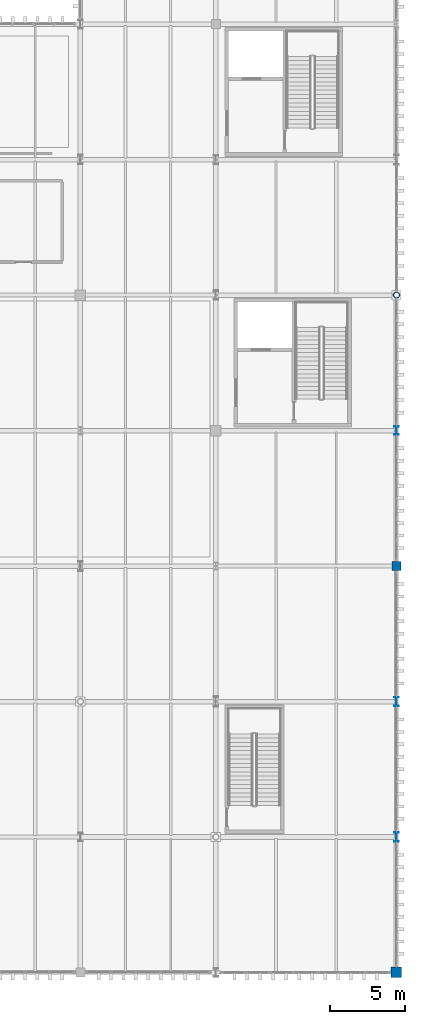
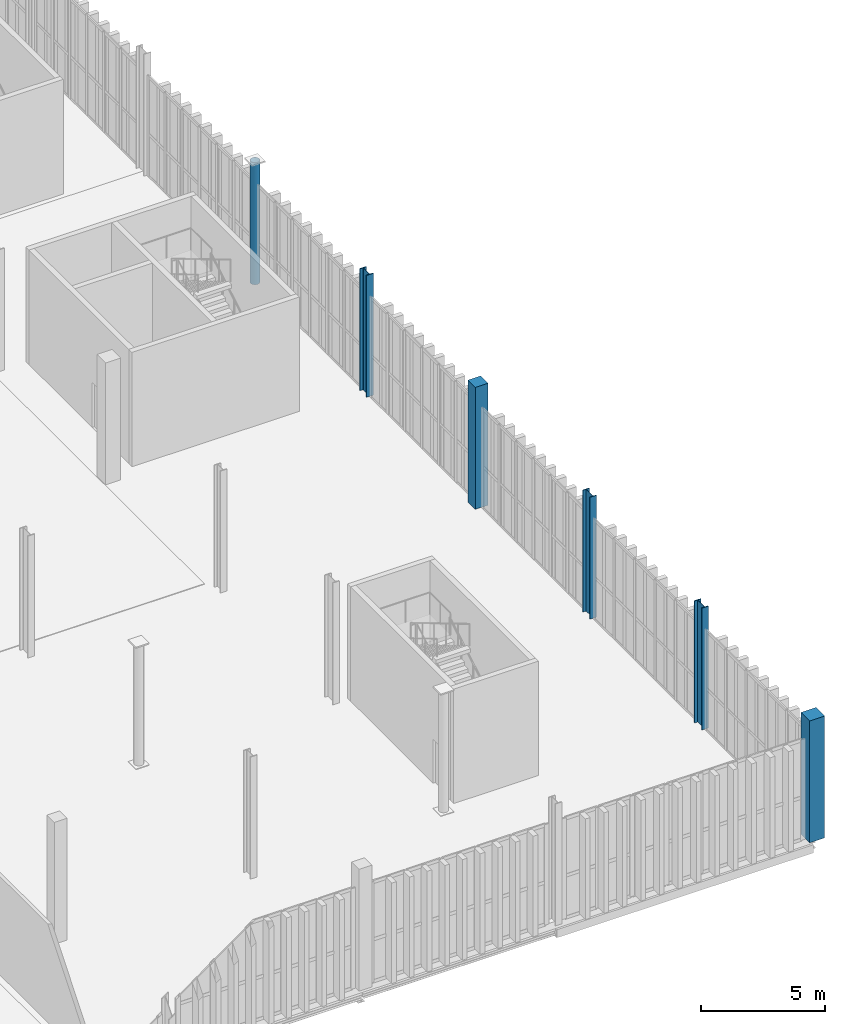
# One storey, part 17 of 211: 6 columns.
"""IFC4 building model written with IfcOpenShell, lengths in metres."""

from ifc_helpers import new_model, si_unit, direction, frame, origin, origin_2d, place, context, subcontext, project, spatial, rectangle, hollow_circle, i_section, extrude, material, material_profile, profile_set, type_object, element, save


model = new_model("IFC4")

# Units and contexts
model_context = context("Model", 3, precision=1e-05, world=origin(), true_north=direction((0.0, 1.0)))
body_context = subcontext(model_context, "Body", "Model", "MODEL_VIEW")
ifc_project = project(units=[si_unit("LENGTHUNIT", "METRE"), si_unit("AREAUNIT", "SQUARE_METRE"), si_unit("VOLUMEUNIT", "CUBIC_METRE"), si_unit("PLANEANGLEUNIT", "RADIAN"), si_unit("MASSUNIT", "GRAM", prefix="KILO")], contexts=[model_context])

# Site, building, storey
site_placement = place(None, origin())
site = spatial("IfcSite", under=ifc_project, at=site_placement, CompositionType="ELEMENT")
building_placement = place(site_placement, origin())
building = spatial("IfcBuilding", under=site, at=building_placement, Name="Barlavento Convention Centre", CompositionType="ELEMENT")
storey_placement = place(building_placement, frame((0.0, 0.0, 6.0)))
storey = spatial("IfcBuildingStorey", under=building, at=storey_placement, Name="L01", CompositionType="ELEMENT", Elevation=6.0)

# Columns
ifc_material_1 = material(Name="Steel S355", Category="steel")
ifc_material_profile_1 = material_profile(ifc_material_1, hollow_circle(Radius=0.203125, WallThickness=0.01611328125, at=origin_2d()), Name="CHS 406.4x16.0")
ifc_profile_set_1 = profile_set([ifc_material_profile_1], Name="Steel S355")
column_type_1 = type_object("IfcColumnType", Name="STR-COL-CHS406", PredefinedType="COLUMN", material=ifc_profile_set_1)
column_1_placement = place(storey_placement, frame((192.0, 45.0, 0.0), z_axis=(0.0, 0.0, 1.0), x_axis=(1.0, 0.0, 0.0)))
element("IfcColumn", 1, at=column_1_placement, inside=storey, type_object=column_type_1, Name="L01 column SC14", PredefinedType="COLUMN", context=body_context, shape_type="SweptSolid", body=[
    extrude(hollow_circle(Radius=0.203125, WallThickness=0.01611328125, at=origin_2d()), origin(), (0.0, 0.0, 1.0), 6.0),
])
ifc_material_profile_2 = material_profile(ifc_material_1, i_section(OverallWidth=0.300048828125, OverallDepth=0.60009765625, WebThickness=0.015380859375, FlangeThickness=0.030029296875, FilletRadius=0.027099609375, at=origin_2d()), Name="HEB 600")
ifc_profile_set_2 = profile_set([ifc_material_profile_2], Name="Steel S355")
column_type_2 = type_object("IfcColumnType", Name="STR-COL-HEB600", PredefinedType="COLUMN", material=ifc_profile_set_2)
column_2_placement = place(storey_placement, frame((192.0, 18.0, 0.0), z_axis=(0.0, 0.0, 1.0), x_axis=(1.0, 0.0, 0.0)))
element("IfcColumn", 2, at=column_2_placement, inside=storey, type_object=column_type_2, Name="L01 column SC08", PredefinedType="COLUMN", context=body_context, shape_type="SweptSolid", body=[
    extrude(i_section(OverallWidth=0.300048828125, OverallDepth=0.60009765625, WebThickness=0.015380859375, FlangeThickness=0.030029296875, FilletRadius=0.027099609375, at=origin_2d()), origin(), (0.0, 0.0, 1.0), 6.0),
])
ifc_material_profile_3 = material_profile(ifc_material_1, i_section(OverallWidth=0.305908203125, OverallDepth=0.572021484375, WebThickness=0.02099609375, FlangeThickness=0.0400390625, FilletRadius=0.027099609375, at=origin_2d()), Name="HEM 550")
ifc_profile_set_3 = profile_set([ifc_material_profile_3], Name="Steel S355")
column_type_3 = type_object("IfcColumnType", Name="STR-COL-HEM550", PredefinedType="COLUMN", material=ifc_profile_set_3)
column_3_placement = place(storey_placement, frame((192.0, 36.0, 0.0), z_axis=(0.0, 0.0, 1.0), x_axis=(1.0, 0.0, 0.0)))
element("IfcColumn", 3, at=column_3_placement, inside=storey, type_object=column_type_3, Name="L01 column SC06", PredefinedType="COLUMN", context=body_context, shape_type="SweptSolid", body=[
    extrude(i_section(OverallWidth=0.305908203125, OverallDepth=0.572021484375, WebThickness=0.02099609375, FlangeThickness=0.0400390625, FilletRadius=0.027099609375, at=origin_2d()), origin(), (0.0, 0.0, 1.0), 6.0),
])
ifc_material_profile_4 = material_profile(ifc_material_1, i_section(OverallWidth=0.304931640625, OverallDepth=0.6201171875, WebThickness=0.02099609375, FlangeThickness=0.0400390625, FilletRadius=0.027099609375, at=origin_2d()), Name="HEM 600")
ifc_profile_set_4 = profile_set([ifc_material_profile_4], Name="Steel S355")
column_type_4 = type_object("IfcColumnType", Name="STR-COL-HEM600", PredefinedType="COLUMN", material=ifc_profile_set_4)
column_4_placement = place(storey_placement, frame((192.0, 9.0, 0.0), z_axis=(0.0, 0.0, 1.0), x_axis=(1.0, 0.0, 0.0)))
element("IfcColumn", 4, at=column_4_placement, inside=storey, type_object=column_type_4, Name="L01 column SC05", PredefinedType="COLUMN", context=body_context, shape_type="SweptSolid", body=[
    extrude(i_section(OverallWidth=0.304931640625, OverallDepth=0.6201171875, WebThickness=0.02099609375, FlangeThickness=0.0400390625, FilletRadius=0.027099609375, at=origin_2d()), origin(), (0.0, 0.0, 1.0), 6.0),
])
ifc_material_2 = material(Name="Concrete C40/50", Category="concrete")
ifc_material_profile_5 = material_profile(ifc_material_2, rectangle(XDim=0.60009765625, YDim=0.60009765625, at=origin_2d()), Name="RC 600x600")
ifc_profile_set_5 = profile_set([ifc_material_profile_5], Name="Concrete C40/50")
column_type_5 = type_object("IfcColumnType", Name="STR-COL-RC600", PredefinedType="COLUMN", material=ifc_profile_set_5)
column_5_placement = place(storey_placement, frame((192.0, 27.0, 0.0), z_axis=(0.0, 0.0, 1.0), x_axis=(1.0, 0.0, 0.0)))
element("IfcColumn", 5, at=column_5_placement, inside=storey, type_object=column_type_5, Name="L01 column CC07", PredefinedType="COLUMN", context=body_context, shape_type="SweptSolid", body=[
    extrude(rectangle(XDim=0.60009765625, YDim=0.60009765625, at=origin_2d()), origin(), (0.0, 0.0, 1.0), 6.0),
])
ifc_material_profile_6 = material_profile(ifc_material_2, rectangle(XDim=0.699951171875, YDim=0.699951171875, at=origin_2d()), Name="RC 700x700")
ifc_profile_set_6 = profile_set([ifc_material_profile_6], Name="Concrete C40/50")
column_type_6 = type_object("IfcColumnType", Name="STR-COL-RC700", PredefinedType="COLUMN", material=ifc_profile_set_6)
column_6_placement = place(storey_placement, frame((192.0, 0.0, 0.0), z_axis=(0.0, 0.0, 1.0), x_axis=(1.0, 0.0, 0.0)))
element("IfcColumn", 6, at=column_6_placement, inside=storey, type_object=column_type_6, Name="L01 column CC06", PredefinedType="COLUMN", context=body_context, shape_type="SweptSolid", body=[
    extrude(rectangle(XDim=0.699951171875, YDim=0.699951171875, at=origin_2d()), origin(), (0.0, 0.0, 1.0), 6.0),
])

save(model, "model.ifc")
